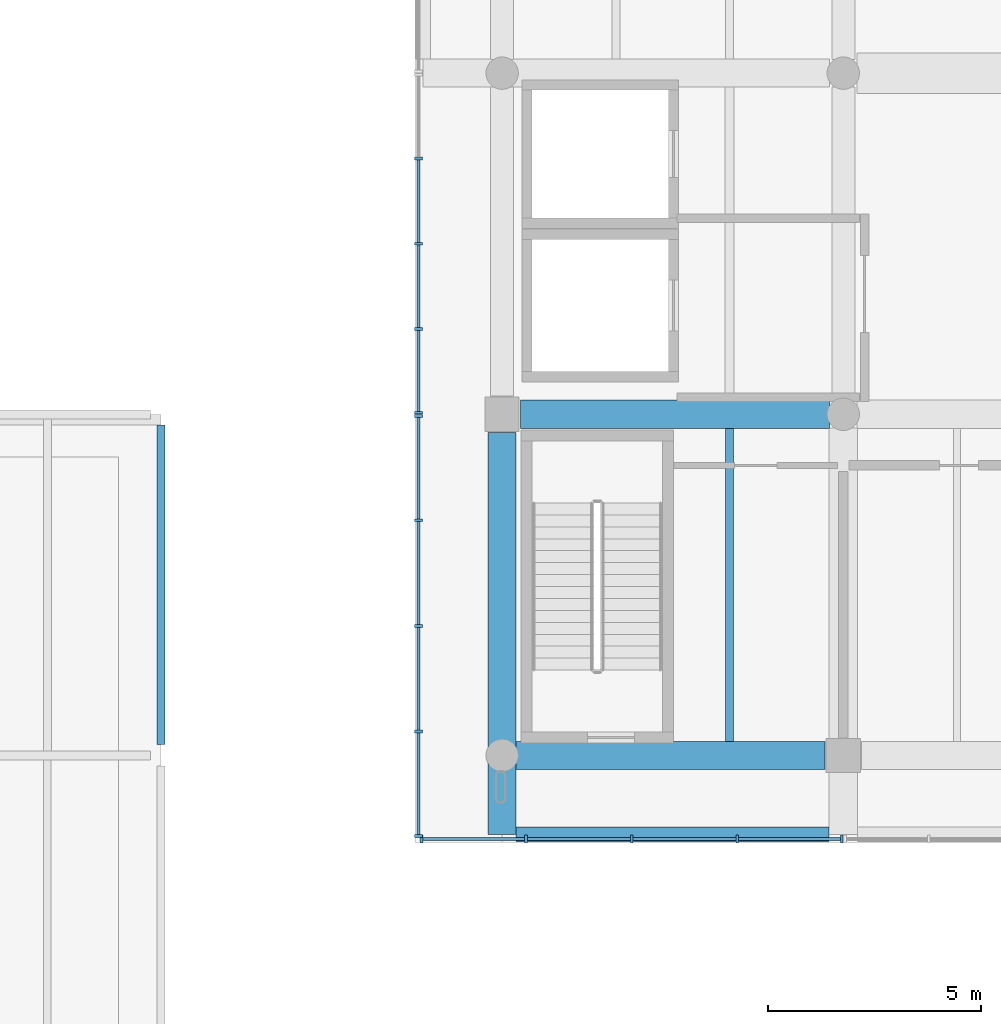
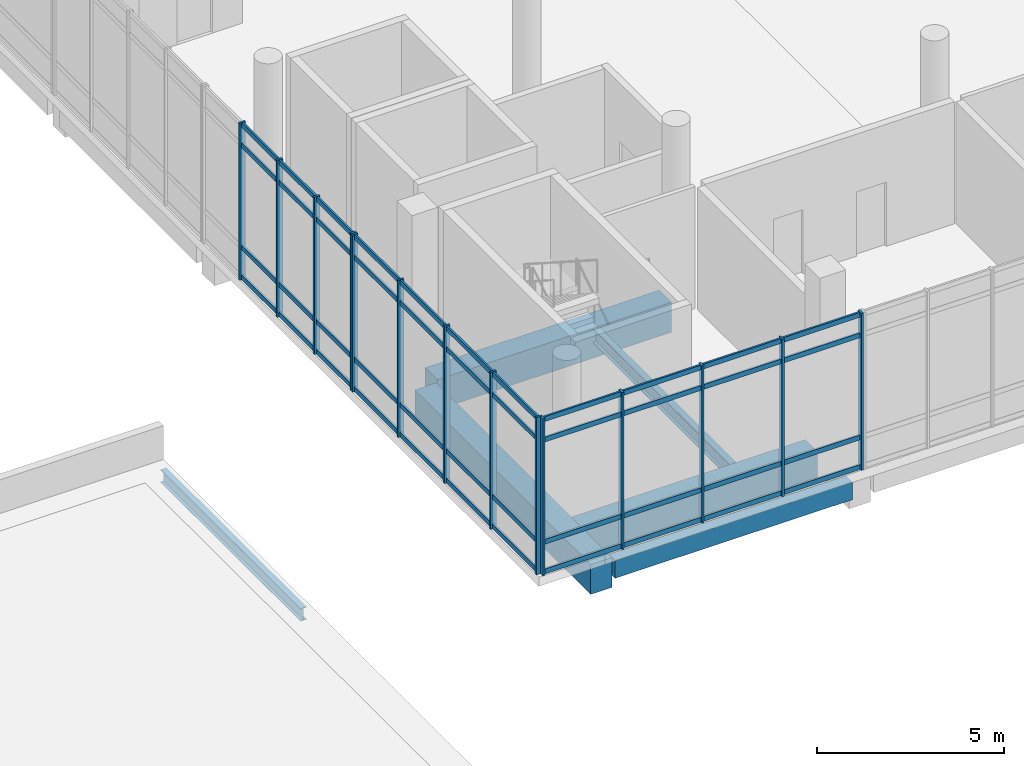
# One storey, part 2 of 20: 58 members, 6 beams, 3 elements without a shape of their own.
"""IFC4 building model written with IfcOpenShell, lengths in metres."""

from ifc_helpers import new_model, si_unit, direction, frame, origin, origin_2d, place, context, subcontext, project, spatial, rectangle, i_section, extrude, material, material_profile, profile_set, type_object, element, aggregate, save


model = new_model("IFC4")

# Units and contexts
model_context = context("Model", 3, precision=1e-05, world=origin(), true_north=direction((0.0, 1.0)))
body_context = subcontext(model_context, "Body", "Model", "MODEL_VIEW")
ifc_project = project(units=[si_unit("LENGTHUNIT", "METRE"), si_unit("AREAUNIT", "SQUARE_METRE"), si_unit("VOLUMEUNIT", "CUBIC_METRE"), si_unit("PLANEANGLEUNIT", "RADIAN"), si_unit("MASSUNIT", "GRAM", prefix="KILO")], contexts=[model_context])

# Site, building, storey
site_placement = place(None, origin())
site = spatial("IfcSite", under=ifc_project, at=site_placement, CompositionType="ELEMENT")
building_placement = place(site_placement, origin())
building = spatial("IfcBuilding", under=site, at=building_placement, Name="Pecanmere Concourse Central Library", CompositionType="ELEMENT")
storey_placement = place(building_placement, frame((0.0, 0.0, 24.89990234375)))
storey = spatial("IfcBuildingStorey", under=building, at=storey_placement, Name="L06", CompositionType="ELEMENT", Elevation=24.89990234375)

# Curtain wall, members
ifc_material_1 = material(Name="Anodized bronze aluminium alloy 6063-T6", Category="aluminium")
curtain_wall_type = type_object("IfcCurtainWallType", Name="CW_PLUMB_BANDED", PredefinedType="USERDEFINED", material=ifc_material_1)
curtain_wall_1_placement = place(storey_placement, origin())
curtain_wall_1 = element("IfcCurtainWall", 1, at=curtain_wall_1_placement, inside=storey, type_object=curtain_wall_type, Name="Unitised Curtain Wall CW-02 L06-074", ObjectType="UNITISED CURTAIN WALL", PredefinedType="USERDEFINED")
ifc_material_2 = material(Name="Anodized bronze aluminium alloy 6063-T6", Category="aluminium")
ifc_material_profile_1 = material_profile(ifc_material_2, rectangle(XDim=0.06494140625, YDim=0.179931640625, at=origin_2d()), Name="AL 65x180")
ifc_profile_set_1 = profile_set([ifc_material_profile_1], Name="Anodized bronze aluminium alloy 6063-T6")
member_type_1 = type_object("IfcMemberType", Name="CWM_180x65", PredefinedType="MULLION", material=ifc_profile_set_1)
member_1_placement = place(storey_placement, frame((70.111083984375, 88.03857421875, 0.0), z_axis=(0.0, 0.0, 1.0), x_axis=(1.0, 0.0, 0.0)))
member_1 = element("IfcMember", 2, at=member_1_placement, type_object=member_type_1, Name="CW-02 Mullion 1", PredefinedType="MULLION", context=body_context, shape_type="SweptSolid", body=[
    extrude(rectangle(XDim=0.06494140625, YDim=0.179931640625, at=origin_2d()), origin(), (0.0, 0.0, 1.0), 5.14013671875),
])
member_2_placement = place(storey_placement, frame((72.5576171875, 88.03857421875, 0.0), z_axis=(0.0, 0.0, 1.0), x_axis=(1.0, 0.0, 0.0)))
member_2 = element("IfcMember", 3, at=member_2_placement, type_object=member_type_1, Name="CW-02 Mullion 2", PredefinedType="MULLION", context=body_context, shape_type="SweptSolid", body=[
    extrude(rectangle(XDim=0.06494140625, YDim=0.179931640625, at=origin_2d()), origin(), (0.0, 0.0, 1.0), 5.14013671875),
])
member_3_placement = place(storey_placement, frame((75.036865234375, 88.03857421875, 0.0), z_axis=(0.0, 0.0, 1.0), x_axis=(1.0, 0.0, 0.0)))
member_3 = element("IfcMember", 4, at=member_3_placement, type_object=member_type_1, Name="CW-02 Mullion 3", PredefinedType="MULLION", context=body_context, shape_type="SweptSolid", body=[
    extrude(rectangle(XDim=0.06494140625, YDim=0.179931640625, at=origin_2d()), origin(), (0.0, 0.0, 1.0), 5.14013671875),
])
member_4_placement = place(storey_placement, frame((77.515869140625, 88.03857421875, 0.0), z_axis=(0.0, 0.0, 1.0), x_axis=(1.0, 0.0, 0.0)))
member_4 = element("IfcMember", 5, at=member_4_placement, type_object=member_type_1, Name="CW-02 Mullion 4", PredefinedType="MULLION", context=body_context, shape_type="SweptSolid", body=[
    extrude(rectangle(XDim=0.06494140625, YDim=0.179931640625, at=origin_2d()), origin(), (0.0, 0.0, 1.0), 5.14013671875),
])
member_5_placement = place(storey_placement, frame((79.96240234375, 88.03857421875, 0.0), z_axis=(0.0, 0.0, 1.0), x_axis=(1.0, 0.0, 0.0)))
member_5 = element("IfcMember", 6, at=member_5_placement, type_object=member_type_1, Name="CW-02 Mullion 5", PredefinedType="MULLION", context=body_context, shape_type="SweptSolid", body=[
    extrude(rectangle(XDim=0.06494140625, YDim=0.179931640625, at=origin_2d()), origin(), (0.0, 0.0, 1.0), 5.14013671875),
])

curtain_wall_2_placement = place(storey_placement, origin())
curtain_wall_2 = element("IfcCurtainWall", 7, at=curtain_wall_2_placement, inside=storey, type_object=curtain_wall_type, Name="Unitised Curtain Wall CW-02 L06-083", ObjectType="UNITISED CURTAIN WALL", PredefinedType="USERDEFINED")
member_6_placement = place(storey_placement, frame((70.03857421875, 103.99755859375, 0.0), z_axis=(0.0, 0.0, 1.0), x_axis=(0.0, -1.0, 0.0)))
member_6 = element("IfcMember", 8, at=member_6_placement, type_object=member_type_1, Name="CW-02 Mullion 2", PredefinedType="MULLION", context=body_context, shape_type="SweptSolid", body=[
    extrude(rectangle(XDim=0.06494140625, YDim=0.179931640625, at=origin_2d()), origin(), (0.0, 0.0, 1.0), 5.14013671875),
])
member_7_placement = place(storey_placement, frame((70.03857421875, 102.0, 0.0), z_axis=(0.0, 0.0, 1.0), x_axis=(0.0, -1.0, 0.0)))
member_7 = element("IfcMember", 9, at=member_7_placement, type_object=member_type_1, Name="CW-02 Mullion 3", PredefinedType="MULLION", context=body_context, shape_type="SweptSolid", body=[
    extrude(rectangle(XDim=0.06494140625, YDim=0.179931640625, at=origin_2d()), origin(), (0.0, 0.0, 1.0), 5.14013671875),
])
member_8_placement = place(storey_placement, frame((70.03857421875, 100.00244140625, 0.0), z_axis=(0.0, 0.0, 1.0), x_axis=(0.0, -1.0, 0.0)))
member_8 = element("IfcMember", 10, at=member_8_placement, type_object=member_type_1, Name="CW-02 Mullion 4", PredefinedType="MULLION", context=body_context, shape_type="SweptSolid", body=[
    extrude(rectangle(XDim=0.06494140625, YDim=0.179931640625, at=origin_2d()), origin(), (0.0, 0.0, 1.0), 5.14013671875),
])
member_9_placement = place(storey_placement, frame((70.03857421875, 98.03759765625, 0.0), z_axis=(0.0, 0.0, 1.0), x_axis=(0.0, -1.0, 0.0)))
member_9 = element("IfcMember", 11, at=member_9_placement, type_object=member_type_1, Name="CW-02 Mullion 5", PredefinedType="MULLION", context=body_context, shape_type="SweptSolid", body=[
    extrude(rectangle(XDim=0.06494140625, YDim=0.179931640625, at=origin_2d()), origin(), (0.0, 0.0, 1.0), 5.14013671875),
])

curtain_wall_3_placement = place(storey_placement, origin())
curtain_wall_3 = element("IfcCurtainWall", 12, at=curtain_wall_3_placement, inside=storey, type_object=curtain_wall_type, Name="Unitised Curtain Wall CW-02 L06-084", ObjectType="UNITISED CURTAIN WALL", PredefinedType="USERDEFINED")
member_10_placement = place(storey_placement, frame((70.03857421875, 97.96240234375, 0.0), z_axis=(0.0, 0.0, 1.0), x_axis=(0.0, -1.0, 0.0)))
member_10 = element("IfcMember", 13, at=member_10_placement, type_object=member_type_1, Name="CW-02 Mullion 1", PredefinedType="MULLION", context=body_context, shape_type="SweptSolid", body=[
    extrude(rectangle(XDim=0.06494140625, YDim=0.179931640625, at=origin_2d()), origin(), (0.0, 0.0, 1.0), 5.14013671875),
])
member_11_placement = place(storey_placement, frame((70.03857421875, 95.515869140625, 0.0), z_axis=(0.0, 0.0, 1.0), x_axis=(0.0, -1.0, 0.0)))
member_11 = element("IfcMember", 14, at=member_11_placement, type_object=member_type_1, Name="CW-02 Mullion 2", PredefinedType="MULLION", context=body_context, shape_type="SweptSolid", body=[
    extrude(rectangle(XDim=0.06494140625, YDim=0.179931640625, at=origin_2d()), origin(), (0.0, 0.0, 1.0), 5.14013671875),
])
member_12_placement = place(storey_placement, frame((70.03857421875, 93.036865234375, 0.0), z_axis=(0.0, 0.0, 1.0), x_axis=(0.0, -1.0, 0.0)))
member_12 = element("IfcMember", 15, at=member_12_placement, type_object=member_type_1, Name="CW-02 Mullion 3", PredefinedType="MULLION", context=body_context, shape_type="SweptSolid", body=[
    extrude(rectangle(XDim=0.06494140625, YDim=0.179931640625, at=origin_2d()), origin(), (0.0, 0.0, 1.0), 5.14013671875),
])
member_13_placement = place(storey_placement, frame((70.03857421875, 90.5576171875, 0.0), z_axis=(0.0, 0.0, 1.0), x_axis=(0.0, -1.0, 0.0)))
member_13 = element("IfcMember", 16, at=member_13_placement, type_object=member_type_1, Name="CW-02 Mullion 4", PredefinedType="MULLION", context=body_context, shape_type="SweptSolid", body=[
    extrude(rectangle(XDim=0.06494140625, YDim=0.179931640625, at=origin_2d()), origin(), (0.0, 0.0, 1.0), 5.14013671875),
])
member_14_placement = place(storey_placement, frame((70.03857421875, 88.111083984375, 0.0), z_axis=(0.0, 0.0, 1.0), x_axis=(0.0, -1.0, 0.0)))
member_14 = element("IfcMember", 17, at=member_14_placement, type_object=member_type_1, Name="CW-02 Mullion 5", PredefinedType="MULLION", context=body_context, shape_type="SweptSolid", body=[
    extrude(rectangle(XDim=0.06494140625, YDim=0.179931640625, at=origin_2d()), origin(), (0.0, 0.0, 1.0), 5.14013671875),
])

# Member
ifc_material_3 = material(Name="Anodized bronze aluminium alloy 6063-T6", Category="aluminium")
ifc_material_profile_2 = material_profile(ifc_material_3, rectangle(XDim=0.06005859375, YDim=0.159912109375, at=origin_2d()), Name="AL 60x160")
ifc_profile_set_2 = profile_set([ifc_material_profile_2], Name="Anodized bronze aluminium alloy 6063-T6")
member_type_2 = type_object("IfcMemberType", Name="CWT_160x60", PredefinedType="USERDEFINED", material=ifc_profile_set_2)
member_15_placement = place(storey_placement, frame((70.1435546875, 88.03857421875, 0.080078125), z_axis=(1.0, 0.0, 0.0), x_axis=(0.0, 1.0, 0.0)))
member_15 = element("IfcMember", 18, at=member_15_placement, type_object=member_type_2, Name="CW-02 Transom 1.1", ObjectType="TRANSOM", PredefinedType="USERDEFINED", context=body_context, shape_type="SweptSolid", body=[
    extrude(rectangle(XDim=0.06005859375, YDim=0.159912109375, at=origin_2d()), origin(), (0.0, 0.0, 1.0), 2.381591796875),
])

member_16_placement = place(storey_placement, frame((70.1435546875, 88.03857421875, 1.050048828125), z_axis=(1.0, 0.0, 0.0), x_axis=(0.0, 1.0, 0.0)))
member_16 = element("IfcMember", 19, at=member_16_placement, type_object=member_type_2, Name="CW-02 Transom 1.2", ObjectType="TRANSOM", PredefinedType="USERDEFINED", context=body_context, shape_type="SweptSolid", body=[
    extrude(rectangle(XDim=0.06005859375, YDim=0.159912109375, at=origin_2d()), origin(), (0.0, 0.0, 1.0), 2.381591796875),
])

member_17_placement = place(storey_placement, frame((70.1435546875, 88.03857421875, 4.39013671875), z_axis=(1.0, 0.0, 0.0), x_axis=(0.0, 1.0, 0.0)))
member_17 = element("IfcMember", 20, at=member_17_placement, type_object=member_type_2, Name="CW-02 Transom 1.3", ObjectType="TRANSOM", PredefinedType="USERDEFINED", context=body_context, shape_type="SweptSolid", body=[
    extrude(rectangle(XDim=0.06005859375, YDim=0.159912109375, at=origin_2d()), origin(), (0.0, 0.0, 1.0), 2.381591796875),
])

member_18_placement = place(storey_placement, frame((70.1435546875, 88.03857421875, 5.06005859375), z_axis=(1.0, 0.0, 0.0), x_axis=(0.0, 1.0, 0.0)))
member_18 = element("IfcMember", 21, at=member_18_placement, type_object=member_type_2, Name="CW-02 Transom 1.4", ObjectType="TRANSOM", PredefinedType="USERDEFINED", context=body_context, shape_type="SweptSolid", body=[
    extrude(rectangle(XDim=0.06005859375, YDim=0.159912109375, at=origin_2d()), origin(), (0.0, 0.0, 1.0), 2.381591796875),
])

member_19_placement = place(storey_placement, frame((72.590087890625, 88.03857421875, 0.080078125), z_axis=(1.0, 0.0, 0.0), x_axis=(0.0, 1.0, 0.0)))
member_19 = element("IfcMember", 22, at=member_19_placement, type_object=member_type_2, Name="CW-02 Transom 2.1", ObjectType="TRANSOM", PredefinedType="USERDEFINED", context=body_context, shape_type="SweptSolid", body=[
    extrude(rectangle(XDim=0.06005859375, YDim=0.159912109375, at=origin_2d()), origin(), (0.0, 0.0, 1.0), 2.4140625),
])

member_20_placement = place(storey_placement, frame((72.590087890625, 88.03857421875, 1.050048828125), z_axis=(1.0, 0.0, 0.0), x_axis=(0.0, 1.0, 0.0)))
member_20 = element("IfcMember", 23, at=member_20_placement, type_object=member_type_2, Name="CW-02 Transom 2.2", ObjectType="TRANSOM", PredefinedType="USERDEFINED", context=body_context, shape_type="SweptSolid", body=[
    extrude(rectangle(XDim=0.06005859375, YDim=0.159912109375, at=origin_2d()), origin(), (0.0, 0.0, 1.0), 2.4140625),
])

member_21_placement = place(storey_placement, frame((72.590087890625, 88.03857421875, 4.39013671875), z_axis=(1.0, 0.0, 0.0), x_axis=(0.0, 1.0, 0.0)))
member_21 = element("IfcMember", 24, at=member_21_placement, type_object=member_type_2, Name="CW-02 Transom 2.3", ObjectType="TRANSOM", PredefinedType="USERDEFINED", context=body_context, shape_type="SweptSolid", body=[
    extrude(rectangle(XDim=0.06005859375, YDim=0.159912109375, at=origin_2d()), origin(), (0.0, 0.0, 1.0), 2.4140625),
])

member_22_placement = place(storey_placement, frame((72.590087890625, 88.03857421875, 5.06005859375), z_axis=(1.0, 0.0, 0.0), x_axis=(0.0, 1.0, 0.0)))
member_22 = element("IfcMember", 25, at=member_22_placement, type_object=member_type_2, Name="CW-02 Transom 2.4", ObjectType="TRANSOM", PredefinedType="USERDEFINED", context=body_context, shape_type="SweptSolid", body=[
    extrude(rectangle(XDim=0.06005859375, YDim=0.159912109375, at=origin_2d()), origin(), (0.0, 0.0, 1.0), 2.4140625),
])

member_23_placement = place(storey_placement, frame((75.0693359375, 88.03857421875, 0.080078125), z_axis=(1.0, 0.0, 0.0), x_axis=(0.0, 1.0, 0.0)))
member_23 = element("IfcMember", 26, at=member_23_placement, type_object=member_type_2, Name="CW-02 Transom 3.1", ObjectType="TRANSOM", PredefinedType="USERDEFINED", context=body_context, shape_type="SweptSolid", body=[
    extrude(rectangle(XDim=0.06005859375, YDim=0.159912109375, at=origin_2d()), origin(), (0.0, 0.0, 1.0), 2.4140625),
])

member_24_placement = place(storey_placement, frame((75.0693359375, 88.03857421875, 1.050048828125), z_axis=(1.0, 0.0, 0.0), x_axis=(0.0, 1.0, 0.0)))
member_24 = element("IfcMember", 27, at=member_24_placement, type_object=member_type_2, Name="CW-02 Transom 3.2", ObjectType="TRANSOM", PredefinedType="USERDEFINED", context=body_context, shape_type="SweptSolid", body=[
    extrude(rectangle(XDim=0.06005859375, YDim=0.159912109375, at=origin_2d()), origin(), (0.0, 0.0, 1.0), 2.4140625),
])

member_25_placement = place(storey_placement, frame((75.0693359375, 88.03857421875, 4.39013671875), z_axis=(1.0, 0.0, 0.0), x_axis=(0.0, 1.0, 0.0)))
member_25 = element("IfcMember", 28, at=member_25_placement, type_object=member_type_2, Name="CW-02 Transom 3.3", ObjectType="TRANSOM", PredefinedType="USERDEFINED", context=body_context, shape_type="SweptSolid", body=[
    extrude(rectangle(XDim=0.06005859375, YDim=0.159912109375, at=origin_2d()), origin(), (0.0, 0.0, 1.0), 2.4140625),
])

member_26_placement = place(storey_placement, frame((75.0693359375, 88.03857421875, 5.06005859375), z_axis=(1.0, 0.0, 0.0), x_axis=(0.0, 1.0, 0.0)))
member_26 = element("IfcMember", 29, at=member_26_placement, type_object=member_type_2, Name="CW-02 Transom 3.4", ObjectType="TRANSOM", PredefinedType="USERDEFINED", context=body_context, shape_type="SweptSolid", body=[
    extrude(rectangle(XDim=0.06005859375, YDim=0.159912109375, at=origin_2d()), origin(), (0.0, 0.0, 1.0), 2.4140625),
])

member_27_placement = place(storey_placement, frame((77.54833984375, 88.03857421875, 0.080078125), z_axis=(1.0, 0.0, 0.0), x_axis=(0.0, 1.0, 0.0)))
member_27 = element("IfcMember", 30, at=member_27_placement, type_object=member_type_2, Name="CW-02 Transom 4.1", ObjectType="TRANSOM", PredefinedType="USERDEFINED", context=body_context, shape_type="SweptSolid", body=[
    extrude(rectangle(XDim=0.06005859375, YDim=0.159912109375, at=origin_2d()), origin(), (0.0, 0.0, 1.0), 2.381591796875),
])

member_28_placement = place(storey_placement, frame((77.54833984375, 88.03857421875, 1.050048828125), z_axis=(1.0, 0.0, 0.0), x_axis=(0.0, 1.0, 0.0)))
member_28 = element("IfcMember", 31, at=member_28_placement, type_object=member_type_2, Name="CW-02 Transom 4.2", ObjectType="TRANSOM", PredefinedType="USERDEFINED", context=body_context, shape_type="SweptSolid", body=[
    extrude(rectangle(XDim=0.06005859375, YDim=0.159912109375, at=origin_2d()), origin(), (0.0, 0.0, 1.0), 2.381591796875),
])

member_29_placement = place(storey_placement, frame((77.54833984375, 88.03857421875, 4.39013671875), z_axis=(1.0, 0.0, 0.0), x_axis=(0.0, 1.0, 0.0)))
member_29 = element("IfcMember", 32, at=member_29_placement, type_object=member_type_2, Name="CW-02 Transom 4.3", ObjectType="TRANSOM", PredefinedType="USERDEFINED", context=body_context, shape_type="SweptSolid", body=[
    extrude(rectangle(XDim=0.06005859375, YDim=0.159912109375, at=origin_2d()), origin(), (0.0, 0.0, 1.0), 2.381591796875),
])

member_30_placement = place(storey_placement, frame((77.54833984375, 88.03857421875, 5.06005859375), z_axis=(1.0, 0.0, 0.0), x_axis=(0.0, 1.0, 0.0)))
member_30 = element("IfcMember", 33, at=member_30_placement, type_object=member_type_2, Name="CW-02 Transom 4.4", ObjectType="TRANSOM", PredefinedType="USERDEFINED", context=body_context, shape_type="SweptSolid", body=[
    extrude(rectangle(XDim=0.06005859375, YDim=0.159912109375, at=origin_2d()), origin(), (0.0, 0.0, 1.0), 2.381591796875),
])

aggregate(curtain_wall_1, [member_1, member_2, member_3, member_4, member_5, member_15, member_16, member_17, member_18, member_19, member_20, member_21, member_22, member_23, member_24, member_25, member_26, member_27, member_28, member_29, member_30])

member_31_placement = place(storey_placement, frame((70.03857421875, 103.965087890625, 0.080078125), z_axis=(0.0, -1.0, 0.0), x_axis=(1.0, 0.0, 0.0)))
member_31 = element("IfcMember", 34, at=member_31_placement, type_object=member_type_2, Name="CW-02 Transom 2.1", ObjectType="TRANSOM", PredefinedType="USERDEFINED", context=body_context, shape_type="SweptSolid", body=[
    extrude(rectangle(XDim=0.06005859375, YDim=0.159912109375, at=origin_2d()), origin(), (0.0, 0.0, 1.0), 1.9326171875),
])

member_32_placement = place(storey_placement, frame((70.03857421875, 103.965087890625, 1.050048828125), z_axis=(0.0, -1.0, 0.0), x_axis=(1.0, 0.0, 0.0)))
member_32 = element("IfcMember", 35, at=member_32_placement, type_object=member_type_2, Name="CW-02 Transom 2.2", ObjectType="TRANSOM", PredefinedType="USERDEFINED", context=body_context, shape_type="SweptSolid", body=[
    extrude(rectangle(XDim=0.06005859375, YDim=0.159912109375, at=origin_2d()), origin(), (0.0, 0.0, 1.0), 1.9326171875),
])

member_33_placement = place(storey_placement, frame((70.03857421875, 103.965087890625, 4.39013671875), z_axis=(0.0, -1.0, 0.0), x_axis=(1.0, 0.0, 0.0)))
member_33 = element("IfcMember", 36, at=member_33_placement, type_object=member_type_2, Name="CW-02 Transom 2.3", ObjectType="TRANSOM", PredefinedType="USERDEFINED", context=body_context, shape_type="SweptSolid", body=[
    extrude(rectangle(XDim=0.06005859375, YDim=0.159912109375, at=origin_2d()), origin(), (0.0, 0.0, 1.0), 1.9326171875),
])

member_34_placement = place(storey_placement, frame((70.03857421875, 103.965087890625, 5.06005859375), z_axis=(0.0, -1.0, 0.0), x_axis=(1.0, 0.0, 0.0)))
member_34 = element("IfcMember", 37, at=member_34_placement, type_object=member_type_2, Name="CW-02 Transom 2.4", ObjectType="TRANSOM", PredefinedType="USERDEFINED", context=body_context, shape_type="SweptSolid", body=[
    extrude(rectangle(XDim=0.06005859375, YDim=0.159912109375, at=origin_2d()), origin(), (0.0, 0.0, 1.0), 1.9326171875),
])

member_35_placement = place(storey_placement, frame((70.03857421875, 101.967529296875, 0.080078125), z_axis=(0.0, -1.0, 0.0), x_axis=(1.0, 0.0, 0.0)))
member_35 = element("IfcMember", 38, at=member_35_placement, type_object=member_type_2, Name="CW-02 Transom 3.1", ObjectType="TRANSOM", PredefinedType="USERDEFINED", context=body_context, shape_type="SweptSolid", body=[
    extrude(rectangle(XDim=0.06005859375, YDim=0.159912109375, at=origin_2d()), origin(), (0.0, 0.0, 1.0), 1.9326171875),
])

member_36_placement = place(storey_placement, frame((70.03857421875, 101.967529296875, 1.050048828125), z_axis=(0.0, -1.0, 0.0), x_axis=(1.0, 0.0, 0.0)))
member_36 = element("IfcMember", 39, at=member_36_placement, type_object=member_type_2, Name="CW-02 Transom 3.2", ObjectType="TRANSOM", PredefinedType="USERDEFINED", context=body_context, shape_type="SweptSolid", body=[
    extrude(rectangle(XDim=0.06005859375, YDim=0.159912109375, at=origin_2d()), origin(), (0.0, 0.0, 1.0), 1.9326171875),
])

member_37_placement = place(storey_placement, frame((70.03857421875, 101.967529296875, 4.39013671875), z_axis=(0.0, -1.0, 0.0), x_axis=(1.0, 0.0, 0.0)))
member_37 = element("IfcMember", 40, at=member_37_placement, type_object=member_type_2, Name="CW-02 Transom 3.3", ObjectType="TRANSOM", PredefinedType="USERDEFINED", context=body_context, shape_type="SweptSolid", body=[
    extrude(rectangle(XDim=0.06005859375, YDim=0.159912109375, at=origin_2d()), origin(), (0.0, 0.0, 1.0), 1.9326171875),
])

member_38_placement = place(storey_placement, frame((70.03857421875, 101.967529296875, 5.06005859375), z_axis=(0.0, -1.0, 0.0), x_axis=(1.0, 0.0, 0.0)))
member_38 = element("IfcMember", 41, at=member_38_placement, type_object=member_type_2, Name="CW-02 Transom 3.4", ObjectType="TRANSOM", PredefinedType="USERDEFINED", context=body_context, shape_type="SweptSolid", body=[
    extrude(rectangle(XDim=0.06005859375, YDim=0.159912109375, at=origin_2d()), origin(), (0.0, 0.0, 1.0), 1.9326171875),
])

member_39_placement = place(storey_placement, frame((70.03857421875, 99.969970703125, 0.080078125), z_axis=(0.0, -1.0, 0.0), x_axis=(1.0, 0.0, 0.0)))
member_39 = element("IfcMember", 42, at=member_39_placement, type_object=member_type_2, Name="CW-02 Transom 4.1", ObjectType="TRANSOM", PredefinedType="USERDEFINED", context=body_context, shape_type="SweptSolid", body=[
    extrude(rectangle(XDim=0.06005859375, YDim=0.159912109375, at=origin_2d()), origin(), (0.0, 0.0, 1.0), 1.89990234375),
])

member_40_placement = place(storey_placement, frame((70.03857421875, 99.969970703125, 1.050048828125), z_axis=(0.0, -1.0, 0.0), x_axis=(1.0, 0.0, 0.0)))
member_40 = element("IfcMember", 43, at=member_40_placement, type_object=member_type_2, Name="CW-02 Transom 4.2", ObjectType="TRANSOM", PredefinedType="USERDEFINED", context=body_context, shape_type="SweptSolid", body=[
    extrude(rectangle(XDim=0.06005859375, YDim=0.159912109375, at=origin_2d()), origin(), (0.0, 0.0, 1.0), 1.89990234375),
])

member_41_placement = place(storey_placement, frame((70.03857421875, 99.969970703125, 4.39013671875), z_axis=(0.0, -1.0, 0.0), x_axis=(1.0, 0.0, 0.0)))
member_41 = element("IfcMember", 44, at=member_41_placement, type_object=member_type_2, Name="CW-02 Transom 4.3", ObjectType="TRANSOM", PredefinedType="USERDEFINED", context=body_context, shape_type="SweptSolid", body=[
    extrude(rectangle(XDim=0.06005859375, YDim=0.159912109375, at=origin_2d()), origin(), (0.0, 0.0, 1.0), 1.89990234375),
])

member_42_placement = place(storey_placement, frame((70.03857421875, 99.969970703125, 5.06005859375), z_axis=(0.0, -1.0, 0.0), x_axis=(1.0, 0.0, 0.0)))
member_42 = element("IfcMember", 45, at=member_42_placement, type_object=member_type_2, Name="CW-02 Transom 4.4", ObjectType="TRANSOM", PredefinedType="USERDEFINED", context=body_context, shape_type="SweptSolid", body=[
    extrude(rectangle(XDim=0.06005859375, YDim=0.159912109375, at=origin_2d()), origin(), (0.0, 0.0, 1.0), 1.89990234375),
])

aggregate(curtain_wall_2, [member_6, member_7, member_8, member_9, member_31, member_32, member_33, member_34, member_35, member_36, member_37, member_38, member_39, member_40, member_41, member_42])

member_43_placement = place(storey_placement, frame((70.03857421875, 97.929931640625, 0.080078125), z_axis=(0.0, -1.0, 0.0), x_axis=(1.0, 0.0, 0.0)))
member_43 = element("IfcMember", 46, at=member_43_placement, type_object=member_type_2, Name="CW-02 Transom 1.1", ObjectType="TRANSOM", PredefinedType="USERDEFINED", context=body_context, shape_type="SweptSolid", body=[
    extrude(rectangle(XDim=0.06005859375, YDim=0.159912109375, at=origin_2d()), origin(), (0.0, 0.0, 1.0), 2.381591796875),
])

member_44_placement = place(storey_placement, frame((70.03857421875, 97.929931640625, 1.050048828125), z_axis=(0.0, -1.0, 0.0), x_axis=(1.0, 0.0, 0.0)))
member_44 = element("IfcMember", 47, at=member_44_placement, type_object=member_type_2, Name="CW-02 Transom 1.2", ObjectType="TRANSOM", PredefinedType="USERDEFINED", context=body_context, shape_type="SweptSolid", body=[
    extrude(rectangle(XDim=0.06005859375, YDim=0.159912109375, at=origin_2d()), origin(), (0.0, 0.0, 1.0), 2.381591796875),
])

member_45_placement = place(storey_placement, frame((70.03857421875, 97.929931640625, 4.39013671875), z_axis=(0.0, -1.0, 0.0), x_axis=(1.0, 0.0, 0.0)))
member_45 = element("IfcMember", 48, at=member_45_placement, type_object=member_type_2, Name="CW-02 Transom 1.3", ObjectType="TRANSOM", PredefinedType="USERDEFINED", context=body_context, shape_type="SweptSolid", body=[
    extrude(rectangle(XDim=0.06005859375, YDim=0.159912109375, at=origin_2d()), origin(), (0.0, 0.0, 1.0), 2.381591796875),
])

member_46_placement = place(storey_placement, frame((70.03857421875, 97.929931640625, 5.06005859375), z_axis=(0.0, -1.0, 0.0), x_axis=(1.0, 0.0, 0.0)))
member_46 = element("IfcMember", 49, at=member_46_placement, type_object=member_type_2, Name="CW-02 Transom 1.4", ObjectType="TRANSOM", PredefinedType="USERDEFINED", context=body_context, shape_type="SweptSolid", body=[
    extrude(rectangle(XDim=0.06005859375, YDim=0.159912109375, at=origin_2d()), origin(), (0.0, 0.0, 1.0), 2.381591796875),
])

member_47_placement = place(storey_placement, frame((70.03857421875, 95.4833984375, 0.080078125), z_axis=(0.0, -1.0, 0.0), x_axis=(1.0, 0.0, 0.0)))
member_47 = element("IfcMember", 50, at=member_47_placement, type_object=member_type_2, Name="CW-02 Transom 2.1", ObjectType="TRANSOM", PredefinedType="USERDEFINED", context=body_context, shape_type="SweptSolid", body=[
    extrude(rectangle(XDim=0.06005859375, YDim=0.159912109375, at=origin_2d()), origin(), (0.0, 0.0, 1.0), 2.4140625),
])

member_48_placement = place(storey_placement, frame((70.03857421875, 95.4833984375, 1.050048828125), z_axis=(0.0, -1.0, 0.0), x_axis=(1.0, 0.0, 0.0)))
member_48 = element("IfcMember", 51, at=member_48_placement, type_object=member_type_2, Name="CW-02 Transom 2.2", ObjectType="TRANSOM", PredefinedType="USERDEFINED", context=body_context, shape_type="SweptSolid", body=[
    extrude(rectangle(XDim=0.06005859375, YDim=0.159912109375, at=origin_2d()), origin(), (0.0, 0.0, 1.0), 2.4140625),
])

member_49_placement = place(storey_placement, frame((70.03857421875, 95.4833984375, 4.39013671875), z_axis=(0.0, -1.0, 0.0), x_axis=(1.0, 0.0, 0.0)))
member_49 = element("IfcMember", 52, at=member_49_placement, type_object=member_type_2, Name="CW-02 Transom 2.3", ObjectType="TRANSOM", PredefinedType="USERDEFINED", context=body_context, shape_type="SweptSolid", body=[
    extrude(rectangle(XDim=0.06005859375, YDim=0.159912109375, at=origin_2d()), origin(), (0.0, 0.0, 1.0), 2.4140625),
])

member_50_placement = place(storey_placement, frame((70.03857421875, 95.4833984375, 5.06005859375), z_axis=(0.0, -1.0, 0.0), x_axis=(1.0, 0.0, 0.0)))
member_50 = element("IfcMember", 53, at=member_50_placement, type_object=member_type_2, Name="CW-02 Transom 2.4", ObjectType="TRANSOM", PredefinedType="USERDEFINED", context=body_context, shape_type="SweptSolid", body=[
    extrude(rectangle(XDim=0.06005859375, YDim=0.159912109375, at=origin_2d()), origin(), (0.0, 0.0, 1.0), 2.4140625),
])

member_51_placement = place(storey_placement, frame((70.03857421875, 93.004150390625, 0.080078125), z_axis=(0.0, -1.0, 0.0), x_axis=(1.0, 0.0, 0.0)))
member_51 = element("IfcMember", 54, at=member_51_placement, type_object=member_type_2, Name="CW-02 Transom 3.1", ObjectType="TRANSOM", PredefinedType="USERDEFINED", context=body_context, shape_type="SweptSolid", body=[
    extrude(rectangle(XDim=0.06005859375, YDim=0.159912109375, at=origin_2d()), origin(), (0.0, 0.0, 1.0), 2.4140625),
])

member_52_placement = place(storey_placement, frame((70.03857421875, 93.004150390625, 1.050048828125), z_axis=(0.0, -1.0, 0.0), x_axis=(1.0, 0.0, 0.0)))
member_52 = element("IfcMember", 55, at=member_52_placement, type_object=member_type_2, Name="CW-02 Transom 3.2", ObjectType="TRANSOM", PredefinedType="USERDEFINED", context=body_context, shape_type="SweptSolid", body=[
    extrude(rectangle(XDim=0.06005859375, YDim=0.159912109375, at=origin_2d()), origin(), (0.0, 0.0, 1.0), 2.4140625),
])

member_53_placement = place(storey_placement, frame((70.03857421875, 93.004150390625, 4.39013671875), z_axis=(0.0, -1.0, 0.0), x_axis=(1.0, 0.0, 0.0)))
member_53 = element("IfcMember", 56, at=member_53_placement, type_object=member_type_2, Name="CW-02 Transom 3.3", ObjectType="TRANSOM", PredefinedType="USERDEFINED", context=body_context, shape_type="SweptSolid", body=[
    extrude(rectangle(XDim=0.06005859375, YDim=0.159912109375, at=origin_2d()), origin(), (0.0, 0.0, 1.0), 2.4140625),
])

member_54_placement = place(storey_placement, frame((70.03857421875, 93.004150390625, 5.06005859375), z_axis=(0.0, -1.0, 0.0), x_axis=(1.0, 0.0, 0.0)))
member_54 = element("IfcMember", 57, at=member_54_placement, type_object=member_type_2, Name="CW-02 Transom 3.4", ObjectType="TRANSOM", PredefinedType="USERDEFINED", context=body_context, shape_type="SweptSolid", body=[
    extrude(rectangle(XDim=0.06005859375, YDim=0.159912109375, at=origin_2d()), origin(), (0.0, 0.0, 1.0), 2.4140625),
])

member_55_placement = place(storey_placement, frame((70.03857421875, 90.525146484375, 0.080078125), z_axis=(0.0, -1.0, 0.0), x_axis=(1.0, 0.0, 0.0)))
member_55 = element("IfcMember", 58, at=member_55_placement, type_object=member_type_2, Name="CW-02 Transom 4.1", ObjectType="TRANSOM", PredefinedType="USERDEFINED", context=body_context, shape_type="SweptSolid", body=[
    extrude(rectangle(XDim=0.06005859375, YDim=0.159912109375, at=origin_2d()), origin(), (0.0, 0.0, 1.0), 2.381591796875),
])

member_56_placement = place(storey_placement, frame((70.03857421875, 90.525146484375, 1.050048828125), z_axis=(0.0, -1.0, 0.0), x_axis=(1.0, 0.0, 0.0)))
member_56 = element("IfcMember", 59, at=member_56_placement, type_object=member_type_2, Name="CW-02 Transom 4.2", ObjectType="TRANSOM", PredefinedType="USERDEFINED", context=body_context, shape_type="SweptSolid", body=[
    extrude(rectangle(XDim=0.06005859375, YDim=0.159912109375, at=origin_2d()), origin(), (0.0, 0.0, 1.0), 2.381591796875),
])

member_57_placement = place(storey_placement, frame((70.03857421875, 90.525146484375, 4.39013671875), z_axis=(0.0, -1.0, 0.0), x_axis=(1.0, 0.0, 0.0)))
member_57 = element("IfcMember", 60, at=member_57_placement, type_object=member_type_2, Name="CW-02 Transom 4.3", ObjectType="TRANSOM", PredefinedType="USERDEFINED", context=body_context, shape_type="SweptSolid", body=[
    extrude(rectangle(XDim=0.06005859375, YDim=0.159912109375, at=origin_2d()), origin(), (0.0, 0.0, 1.0), 2.381591796875),
])

member_58_placement = place(storey_placement, frame((70.03857421875, 90.525146484375, 5.06005859375), z_axis=(0.0, -1.0, 0.0), x_axis=(1.0, 0.0, 0.0)))
member_58 = element("IfcMember", 61, at=member_58_placement, type_object=member_type_2, Name="CW-02 Transom 4.4", ObjectType="TRANSOM", PredefinedType="USERDEFINED", context=body_context, shape_type="SweptSolid", body=[
    extrude(rectangle(XDim=0.06005859375, YDim=0.159912109375, at=origin_2d()), origin(), (0.0, 0.0, 1.0), 2.381591796875),
])

aggregate(curtain_wall_3, [member_10, member_11, member_12, member_13, member_14, member_43, member_44, member_45, member_46, member_47, member_48, member_49, member_50, member_51, member_52, member_53, member_54, member_55, member_56, member_57, member_58])

# Beams
ifc_material_4 = material(Name="Concrete C40/50", Category="concrete")
ifc_material_profile_3 = material_profile(ifc_material_4, rectangle(XDim=0.659912109375, YDim=0.97998046875, at=origin_2d()), Name="RC 660x980")
ifc_profile_set_3 = profile_set([ifc_material_profile_3], Name="Concrete C40/50")
beam_type_1 = type_object("IfcBeamType", Name="GRD_660x980", PredefinedType="USERDEFINED", material=ifc_profile_set_3)
for number, where, z_axis, x_axis, name in (
    (62, (72.324951171875, 90.0, -0.789794921875), (1.0, 0.0, 0.0), (0.0, 1.0, 0.0), "Primary Girder X L06-2642"),
    (63, (72.429931640625, 98.0, -0.789794921875), (1.0, 0.0, 0.0), (0.0, 1.0, 0.0), "Primary Girder X L06-2651"),
):
    element("IfcBeam", number, at=place(storey_placement, frame(where, z_axis=z_axis, x_axis=x_axis)), inside=storey, type_object=beam_type_1, Name=name, ObjectType="GIRDER", PredefinedType="USERDEFINED", context=body_context, shape_type="SweptSolid", body=[
        extrude(rectangle(XDim=0.659912109375, YDim=0.97998046875, at=origin_2d()), origin(), (0.0, 0.0, 1.0), 7.2451171875),
    ])
beam_1_placement = place(storey_placement, frame((72.0, 88.1484375, -0.789794921875), z_axis=(0.0, 1.0, 0.0), x_axis=(-1.0, 0.0, 0.0)))
element("IfcBeam", 64, at=beam_1_placement, inside=storey, type_object=beam_type_1, Name="Primary Girder Y L06-2684", ObjectType="GIRDER", PredefinedType="USERDEFINED", context=body_context, shape_type="SweptSolid", body=[
    extrude(rectangle(XDim=0.659912109375, YDim=0.97998046875, at=origin_2d()), origin(), (0.0, 0.0, 1.0), 9.421630859375),
])
ifc_material_5 = material(Name="Structural steel ASTM A992 Grade 50", Category="steel")
ifc_material_profile_4 = material_profile(ifc_material_5, i_section(OverallWidth=0.180908203125, OverallDepth=0.4169921875, WebThickness=0.010986328125, FlangeThickness=0.018310546875, at=origin_2d()), Name="W410x85")
ifc_profile_set_4 = profile_set([ifc_material_profile_4], Name="Structural steel ASTM A992 Grade 50")
beam_type_2 = type_object("IfcBeamType", Name="SBM_W410x85", PredefinedType="BEAM", material=ifc_profile_set_4)
beam_2_placement = place(storey_placement, frame((64.0, 90.25, -0.50830078125), z_axis=(0.0, 1.0, 0.0), x_axis=(-1.0, 0.0, 0.0)))
element("IfcBeam", 65, at=beam_2_placement, inside=storey, type_object=beam_type_2, Name="Primary Girder Y L06-2683", PredefinedType="BEAM", context=body_context, shape_type="SweptSolid", body=[
    extrude(i_section(OverallWidth=0.180908203125, OverallDepth=0.4169921875, WebThickness=0.010986328125, FlangeThickness=0.018310546875, at=origin_2d()), origin(), (0.0, 0.0, 1.0), 7.5),
])
ifc_material_6 = material(Name="Structural steel ASTM A992 Grade 50", Category="steel")
ifc_material_profile_5 = material_profile(ifc_material_6, i_section(OverallWidth=0.194091796875, OverallDepth=0.468994140625, WebThickness=0.0126953125, FlangeThickness=0.0205078125, at=origin_2d()), Name="W460x106")
ifc_profile_set_5 = profile_set([ifc_material_profile_5], Name="Structural steel ASTM A992 Grade 50")
beam_type_3 = type_object("IfcBeamType", Name="SBM_W460x106", PredefinedType="USERDEFINED", material=ifc_profile_set_5)
beam_3_placement = place(storey_placement, frame((77.333251953125, 90.330078125, -0.534423828125), z_axis=(0.0, 1.0, 0.0), x_axis=(-1.0, 0.0, 0.0)))
element("IfcBeam", 66, at=beam_3_placement, inside=storey, type_object=beam_type_3, Name="Secondary Floor Joist L06-2748", ObjectType="GIRDER", PredefinedType="USERDEFINED", context=body_context, shape_type="SweptSolid", body=[
    extrude(i_section(OverallWidth=0.194091796875, OverallDepth=0.468994140625, WebThickness=0.0126953125, FlangeThickness=0.0205078125, at=origin_2d()), origin(), (0.0, 0.0, 1.0), 7.33984375),
])
ifc_material_7 = material(Name="Concrete C40/50", Category="concrete")
ifc_material_profile_6 = material_profile(ifc_material_7, rectangle(XDim=0.340087890625, YDim=0.580078125, at=origin_2d()), Name="RC 340x580")
ifc_profile_set_6 = profile_set([ifc_material_profile_6], Name="Concrete C40/50")
beam_type_4 = type_object("IfcBeamType", Name="SPB_340x580", PredefinedType="BEAM", material=ifc_profile_set_6)
beam_4_placement = place(storey_placement, frame((72.330078125, 88.1484375, -0.58984375), z_axis=(1.0, 0.0, 0.0), x_axis=(0.0, 1.0, 0.0)))
element("IfcBeam", 67, at=beam_4_placement, inside=storey, type_object=beam_type_4, Name="Leaning Facade Edge Beam L06-2718", PredefinedType="BEAM", context=body_context, shape_type="SweptSolid", body=[
    extrude(rectangle(XDim=0.340087890625, YDim=0.580078125, at=origin_2d()), origin(), (0.0, 0.0, 1.0), 7.33984375),
])

save(model, "model.ifc")
